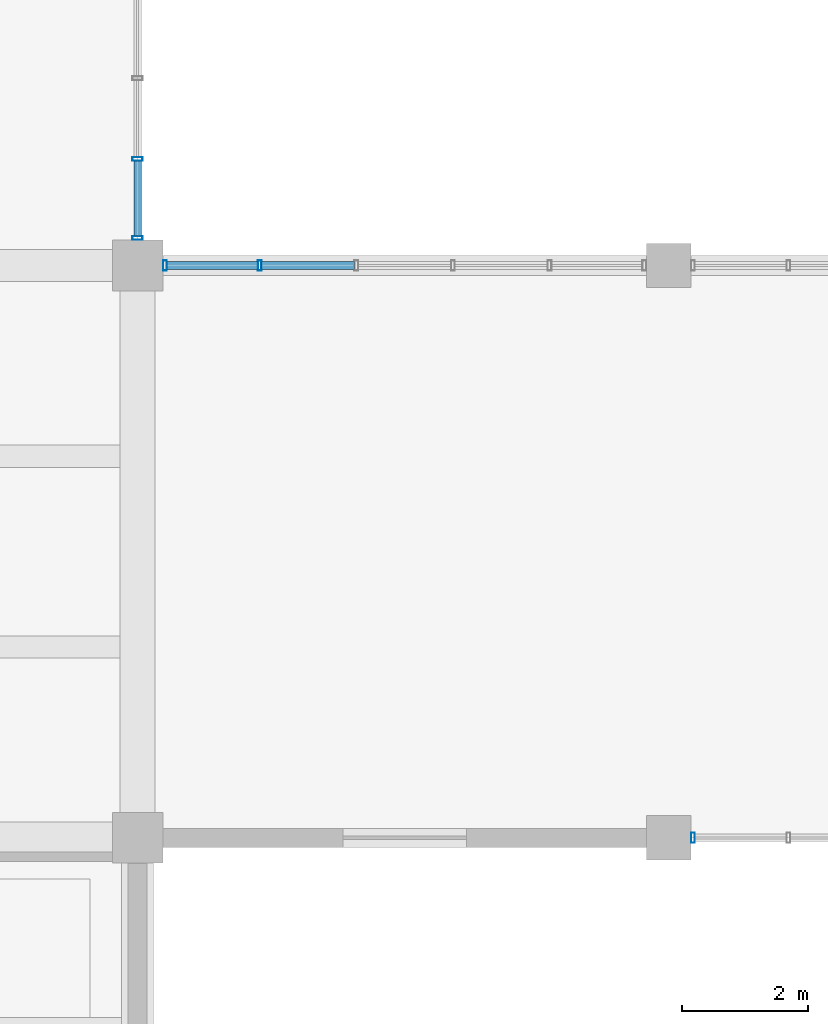
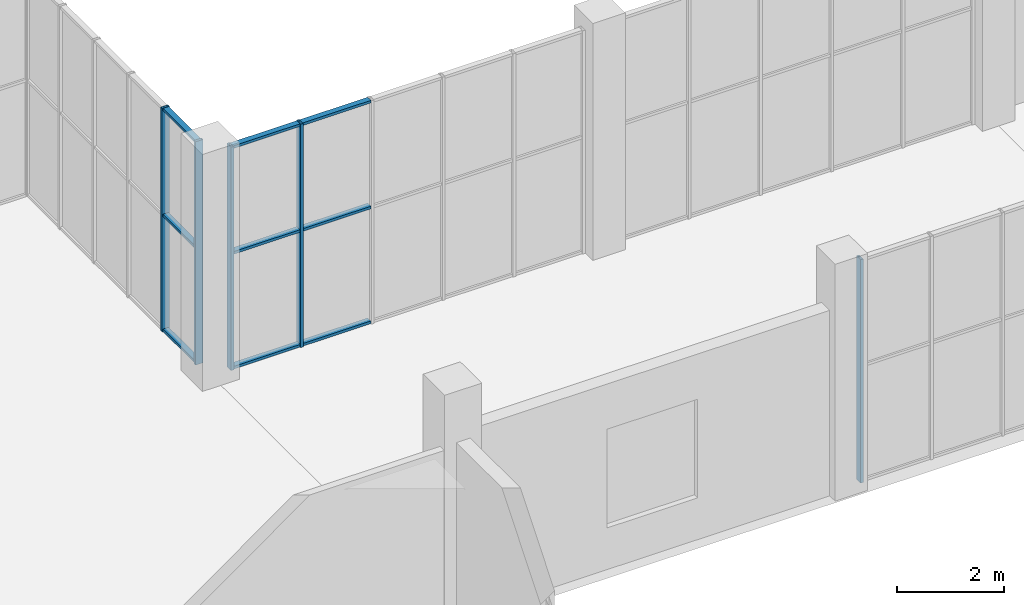
# One storey, part 26 of 91: 14 members, 3 elements without a shape of their own.
"""IFC4 building model written with IfcOpenShell, lengths in metres."""

from ifc_helpers import new_model, si_unit, direction, frame, origin, origin_2d, place, context, subcontext, project, spatial, hollow_rectangle, extrude, material, material_profile, profile_set, type_object, element, aggregate, save


model = new_model("IFC4")

# Units and contexts
model_context = context("Model", 3, precision=1e-05, world=origin(), true_north=direction((0.0, 1.0)))
body_context = subcontext(model_context, "Body", "Model", "MODEL_VIEW")
ifc_project = project(units=[si_unit("LENGTHUNIT", "METRE"), si_unit("AREAUNIT", "SQUARE_METRE"), si_unit("VOLUMEUNIT", "CUBIC_METRE"), si_unit("PLANEANGLEUNIT", "RADIAN"), si_unit("MASSUNIT", "GRAM", prefix="KILO")], contexts=[model_context])

# Site, building, storey
site_placement = place(None, origin())
site = spatial("IfcSite", under=ifc_project, at=site_placement, CompositionType="ELEMENT")
building_placement = place(site_placement, origin())
building = spatial("IfcBuilding", under=site, at=building_placement, Name="Khurvash Pelagic Aquarium", CompositionType="ELEMENT")
storey_placement = place(building_placement, origin())
storey = spatial("IfcBuildingStorey", under=building, at=storey_placement, Name="L00", CompositionType="ELEMENT", Elevation=0.0)

# Curtain wall, member
ifc_material_1 = material(Name="Anodised aluminium and low-E laminated glass", Category="aluminium")
curtain_wall_type_1 = type_object("IfcCurtainWallType", Name="CW-02", PredefinedType="USERDEFINED", material=ifc_material_1)
curtain_wall_1_placement = place(storey_placement, origin())
curtain_wall_1 = element("IfcCurtainWall", 1, at=curtain_wall_1_placement, inside=storey, type_object=curtain_wall_type_1, Name="L00 Facade Unitised Curtain Wall CW-02 0060", ObjectType="UNITISED CURTAIN WALL", PredefinedType="USERDEFINED")
ifc_material_2 = material(Name="Extruded aluminium AW-6063-T6", Category="aluminium")
ifc_material_profile_1 = material_profile(ifc_material_2, hollow_rectangle(XDim=0.06005859375, YDim=0.159912109375, WallThickness=0.00390625, at=origin_2d()), Name="CWM60X160X4")
ifc_profile_set_1 = profile_set([ifc_material_profile_1], Name="Extruded aluminium AW-6063-T6")
member_type_1 = type_object("IfcMemberType", Name="CM-02", PredefinedType="MULLION", material=ifc_profile_set_1)
member_1_placement = place(storey_placement, frame((117.985107421875, 20.699951171875, 0.0), z_axis=(0.0, 0.0, 1.0), x_axis=(1.0, 0.0, 0.0)))
member_1 = element("IfcMember", 2, at=member_1_placement, type_object=member_type_1, Name="CW-02 mullion 1", PredefinedType="MULLION", context=body_context, shape_type="SweptSolid", body=[
    extrude(hollow_rectangle(XDim=0.06005859375, YDim=0.159912109375, WallThickness=0.00390625, at=origin_2d()), origin(), (0.0, 0.0, 1.0), 5.090087890625),
])
aggregate(curtain_wall_1, [member_1])

# Curtain wall, members
curtain_wall_2_placement = place(storey_placement, origin())
curtain_wall_2 = element("IfcCurtainWall", 3, at=curtain_wall_2_placement, inside=storey, type_object=curtain_wall_type_1, Name="L00 Facade Unitised Curtain Wall CW-02 0091", ObjectType="UNITISED CURTAIN WALL", PredefinedType="USERDEFINED")
member_2_placement = place(storey_placement, frame((111.133056640625, 29.75, 0.0), z_axis=(0.0, 0.0, 1.0), x_axis=(-1.0, 0.0, 0.0)))
member_2 = element("IfcMember", 4, at=member_2_placement, type_object=member_type_1, Name="CW-02 mullion 5", PredefinedType="MULLION", context=body_context, shape_type="SweptSolid", body=[
    extrude(hollow_rectangle(XDim=0.06005859375, YDim=0.159912109375, WallThickness=0.00390625, at=origin_2d()), origin(), (0.0, 0.0, 1.0), 5.090087890625),
])
member_3_placement = place(storey_placement, frame((109.635009765625, 29.75, 0.0), z_axis=(0.0, 0.0, 1.0), x_axis=(-1.0, 0.0, 0.0)))
member_3 = element("IfcMember", 5, at=member_3_placement, type_object=member_type_1, Name="CW-02 mullion 6", PredefinedType="MULLION", context=body_context, shape_type="SweptSolid", body=[
    extrude(hollow_rectangle(XDim=0.06005859375, YDim=0.159912109375, WallThickness=0.00390625, at=origin_2d()), origin(), (0.0, 0.0, 1.0), 5.090087890625),
])

curtain_wall_type_2 = type_object("IfcCurtainWallType", Name="CW-05", PredefinedType="USERDEFINED", material=ifc_material_1)
curtain_wall_3_placement = place(storey_placement, origin())
curtain_wall_3 = element("IfcCurtainWall", 6, at=curtain_wall_3_placement, inside=storey, type_object=curtain_wall_type_2, Name="L00 Facade Unitised Curtain Wall CW-05 0092", ObjectType="UNITISED CURTAIN WALL", PredefinedType="USERDEFINED")
member_4_placement = place(storey_placement, frame((109.199951171875, 30.18505859375, 0.0), z_axis=(0.0, 0.0, 1.0), x_axis=(0.0, 1.0, 0.0)))
member_4 = element("IfcMember", 7, at=member_4_placement, type_object=member_type_1, Name="CW-05 mullion 1", PredefinedType="MULLION", context=body_context, shape_type="SweptSolid", body=[
    extrude(hollow_rectangle(XDim=0.06005859375, YDim=0.159912109375, WallThickness=0.00390625, at=origin_2d()), origin(), (0.0, 0.0, 1.0), 5.090087890625),
])
member_5_placement = place(storey_placement, frame((109.199951171875, 31.43408203125, 0.0), z_axis=(0.0, 0.0, 1.0), x_axis=(0.0, 1.0, 0.0)))
member_5 = element("IfcMember", 8, at=member_5_placement, type_object=member_type_1, Name="CW-05 mullion 2", PredefinedType="MULLION", context=body_context, shape_type="SweptSolid", body=[
    extrude(hollow_rectangle(XDim=0.06005859375, YDim=0.159912109375, WallThickness=0.00390625, at=origin_2d()), origin(), (0.0, 0.0, 1.0), 5.090087890625),
])

# Member
ifc_material_profile_2 = material_profile(ifc_material_2, hollow_rectangle(XDim=0.1201171875, YDim=0.06005859375, WallThickness=0.00390625, at=origin_2d()), Name="CWT120X60X4")
ifc_profile_set_2 = profile_set([ifc_material_profile_2], Name="Extruded aluminium AW-6063-T6")
member_type_2 = type_object("IfcMemberType", Name="CT-02", PredefinedType="USERDEFINED", material=ifc_profile_set_2)
member_6_placement = place(storey_placement, frame((112.631103515625, 29.75, 0.030029296875), z_axis=(-1.0, 0.0, 0.0), x_axis=(0.0, -1.0, 0.0)))
member_6 = element("IfcMember", 9, at=member_6_placement, type_object=member_type_2, Name="CW-02 transom 4.1", ObjectType="TRANSOM", PredefinedType="USERDEFINED", context=body_context, shape_type="SweptSolid", body=[
    extrude(hollow_rectangle(XDim=0.1201171875, YDim=0.06005859375, WallThickness=0.00390625, at=origin_2d()), origin(), (0.0, 0.0, 1.0), 1.468017578125),
])

member_7_placement = place(storey_placement, frame((112.631103515625, 29.75, 2.64697265625), z_axis=(-1.0, 0.0, 0.0), x_axis=(0.0, -1.0, 0.0)))
member_7 = element("IfcMember", 10, at=member_7_placement, type_object=member_type_2, Name="CW-02 transom 4.2", ObjectType="TRANSOM", PredefinedType="USERDEFINED", context=body_context, shape_type="SweptSolid", body=[
    extrude(hollow_rectangle(XDim=0.1201171875, YDim=0.06005859375, WallThickness=0.00390625, at=origin_2d()), origin(), (0.0, 0.0, 1.0), 1.468017578125),
])

member_8_placement = place(storey_placement, frame((112.631103515625, 29.75, 5.06005859375), z_axis=(-1.0, 0.0, 0.0), x_axis=(0.0, -1.0, 0.0)))
member_8 = element("IfcMember", 11, at=member_8_placement, type_object=member_type_2, Name="CW-02 transom 4.3", ObjectType="TRANSOM", PredefinedType="USERDEFINED", context=body_context, shape_type="SweptSolid", body=[
    extrude(hollow_rectangle(XDim=0.1201171875, YDim=0.06005859375, WallThickness=0.00390625, at=origin_2d()), origin(), (0.0, 0.0, 1.0), 1.468017578125),
])

member_9_placement = place(storey_placement, frame((111.10302734375, 29.75, 0.030029296875), z_axis=(-1.0, 0.0, 0.0), x_axis=(0.0, -1.0, 0.0)))
member_9 = element("IfcMember", 12, at=member_9_placement, type_object=member_type_2, Name="CW-02 transom 5.1", ObjectType="TRANSOM", PredefinedType="USERDEFINED", context=body_context, shape_type="SweptSolid", body=[
    extrude(hollow_rectangle(XDim=0.1201171875, YDim=0.06005859375, WallThickness=0.00390625, at=origin_2d()), origin(), (0.0, 0.0, 1.0), 1.43798828125),
])

member_10_placement = place(storey_placement, frame((111.10302734375, 29.75, 2.64697265625), z_axis=(-1.0, 0.0, 0.0), x_axis=(0.0, -1.0, 0.0)))
member_10 = element("IfcMember", 13, at=member_10_placement, type_object=member_type_2, Name="CW-02 transom 5.2", ObjectType="TRANSOM", PredefinedType="USERDEFINED", context=body_context, shape_type="SweptSolid", body=[
    extrude(hollow_rectangle(XDim=0.1201171875, YDim=0.06005859375, WallThickness=0.00390625, at=origin_2d()), origin(), (0.0, 0.0, 1.0), 1.43798828125),
])

member_11_placement = place(storey_placement, frame((111.10302734375, 29.75, 5.06005859375), z_axis=(-1.0, 0.0, 0.0), x_axis=(0.0, -1.0, 0.0)))
member_11 = element("IfcMember", 14, at=member_11_placement, type_object=member_type_2, Name="CW-02 transom 5.3", ObjectType="TRANSOM", PredefinedType="USERDEFINED", context=body_context, shape_type="SweptSolid", body=[
    extrude(hollow_rectangle(XDim=0.1201171875, YDim=0.06005859375, WallThickness=0.00390625, at=origin_2d()), origin(), (0.0, 0.0, 1.0), 1.43798828125),
])

aggregate(curtain_wall_2, [member_2, member_3, member_6, member_7, member_8, member_9, member_10, member_11])

member_12_placement = place(storey_placement, frame((109.199951171875, 30.215087890625, 0.030029296875), z_axis=(0.0, 1.0, 0.0), x_axis=(-1.0, 0.0, 0.0)))
member_12 = element("IfcMember", 15, at=member_12_placement, type_object=member_type_2, Name="CW-05 transom 1.1", ObjectType="TRANSOM", PredefinedType="USERDEFINED", context=body_context, shape_type="SweptSolid", body=[
    extrude(hollow_rectangle(XDim=0.1201171875, YDim=0.06005859375, WallThickness=0.00390625, at=origin_2d()), origin(), (0.0, 0.0, 1.0), 1.18896484375),
])

member_13_placement = place(storey_placement, frame((109.199951171875, 30.215087890625, 2.64697265625), z_axis=(0.0, 1.0, 0.0), x_axis=(-1.0, 0.0, 0.0)))
member_13 = element("IfcMember", 16, at=member_13_placement, type_object=member_type_2, Name="CW-05 transom 1.2", ObjectType="TRANSOM", PredefinedType="USERDEFINED", context=body_context, shape_type="SweptSolid", body=[
    extrude(hollow_rectangle(XDim=0.1201171875, YDim=0.06005859375, WallThickness=0.00390625, at=origin_2d()), origin(), (0.0, 0.0, 1.0), 1.18896484375),
])

member_14_placement = place(storey_placement, frame((109.199951171875, 30.215087890625, 5.06005859375), z_axis=(0.0, 1.0, 0.0), x_axis=(-1.0, 0.0, 0.0)))
member_14 = element("IfcMember", 17, at=member_14_placement, type_object=member_type_2, Name="CW-05 transom 1.3", ObjectType="TRANSOM", PredefinedType="USERDEFINED", context=body_context, shape_type="SweptSolid", body=[
    extrude(hollow_rectangle(XDim=0.1201171875, YDim=0.06005859375, WallThickness=0.00390625, at=origin_2d()), origin(), (0.0, 0.0, 1.0), 1.18896484375),
])

aggregate(curtain_wall_3, [member_4, member_5, member_12, member_13, member_14])

save(model, "model.ifc")
